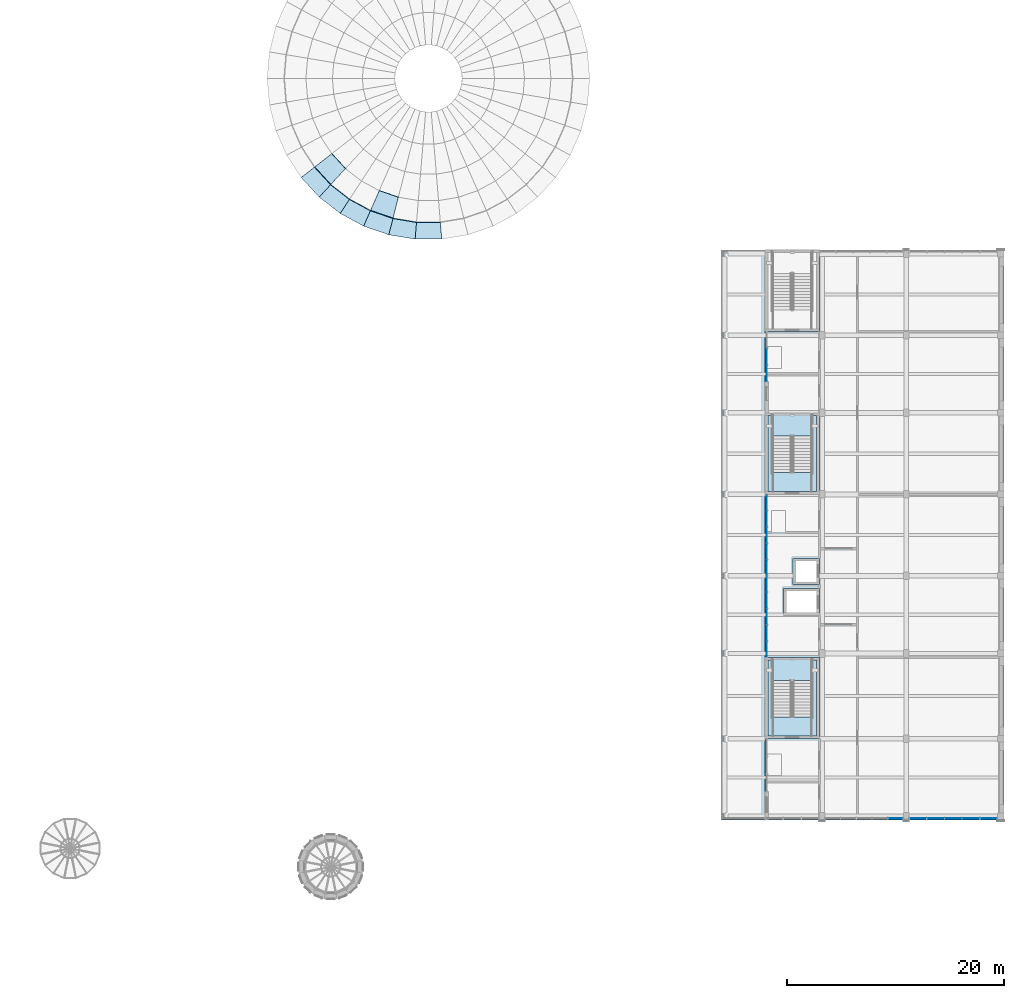
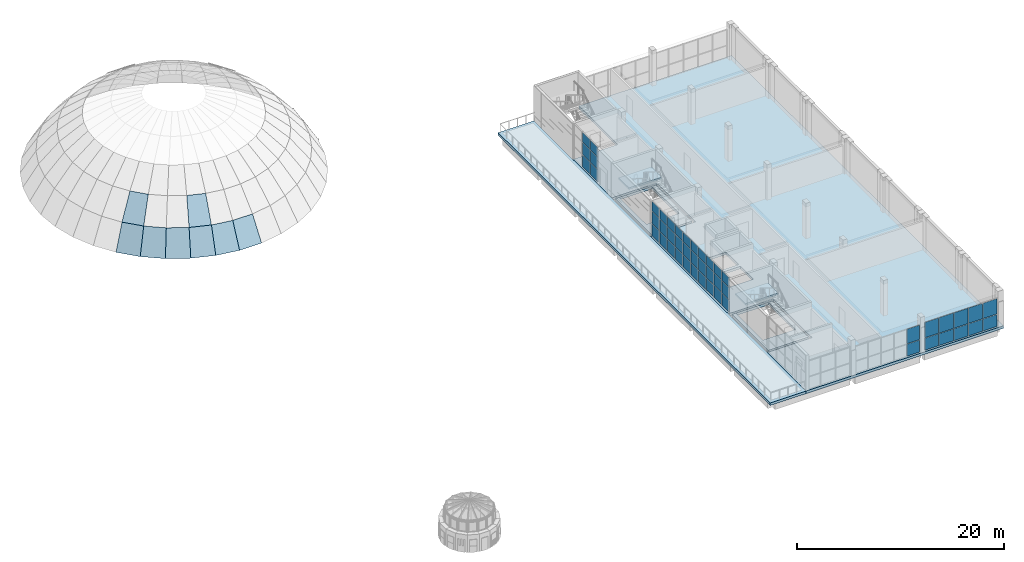
# One storey, part 21 of 36: 48 plates, 14 slabs, 7 elements without a shape of their own.
"""IFC4 building model written with IfcOpenShell, lengths in metres."""

from ifc_helpers import new_model, si_unit, direction, frame, origin, origin_2d, place, context, subcontext, project, spatial, polyline, rectangle, outline, extrude, material, layer, layer_set, type_object, element, aggregate, save


model = new_model("IFC4")

# Units and contexts
model_context = context("Model", 3, precision=1e-05, world=origin(), true_north=direction((0.0, 1.0)))
body_context = subcontext(model_context, "Body", "Model", "MODEL_VIEW")
ifc_project = project(units=[si_unit("LENGTHUNIT", "METRE"), si_unit("AREAUNIT", "SQUARE_METRE"), si_unit("VOLUMEUNIT", "CUBIC_METRE"), si_unit("PLANEANGLEUNIT", "RADIAN"), si_unit("MASSUNIT", "GRAM", prefix="KILO")], contexts=[model_context])

# Site, building, storey
site_placement = place(None, origin())
site = spatial("IfcSite", under=ifc_project, at=site_placement, CompositionType="ELEMENT")
building_placement = place(site_placement, origin())
building = spatial("IfcBuilding", under=site, at=building_placement, Name="Sun Court Science Centre", CompositionType="ELEMENT")
storey_placement = place(building_placement, frame((0.0, 0.0, 24.75)))
storey = spatial("IfcBuildingStorey", under=building, at=storey_placement, Name="L05", CompositionType="ELEMENT", Elevation=24.75)

# Roof, slabs
ifc_material_1 = material(Name="Zinc roofing", Category="metal")
roof_type = type_object("IfcRoofType", Name="Dome roof", PredefinedType="DOME_ROOF", material=ifc_material_1)
roof_placement = place(storey_placement, origin())
roof = element("IfcRoof", 1, at=roof_placement, inside=storey, type_object=roof_type, Name="Planetarium dome roof", PredefinedType="DOME_ROOF")
ifc_material_2 = material(Name="Zinc roofing", Category="metal")
ifc_layer_1 = layer(ifc_material_2, 0.06005859375)
ifc_layer_set_1 = layer_set([ifc_layer_1], Name="Zinc roofing")
slab_type_1 = type_object("IfcSlabType", Name="Dome roof panel 60", PredefinedType="ROOF", material=ifc_layer_set_1)
slab_1_placement = place(storey_placement, frame((42.0966796875, 89.8701171875, 0.330322265625), z_axis=(-0.558716350549, -0.514302052422, 0.650637716786), x_axis=(0.677269030657, -0.735735455056, 1.6947333e-05)))
slab_1 = element("IfcSlab", 2, at=slab_1_placement, type_object=slab_type_1, Name="Dome roof panel 4.23", PredefinedType="ROOF", context=body_context, shape_type="SweptSolid", body=[
    extrude(outline(polyline([(0.0, 0.0), (1.8632710448248617, -1.1102230246251565e-16), (2.030668140457228, -3.1066653687438617), (-0.16763116098052516, -3.10657472632978), (0.0, 0.0)])), origin(), (0.0, 0.0, -1.0), 0.06005859375),
])
slab_2_placement = place(storey_placement, frame((46.468017578125, 86.4677734375, 0.330322265625), z_axis=(-0.246585825862, -0.718257676775, 0.650616123562), x_axis=(0.945814477646, -0.324707520507, 1.190828e-06)))
slab_2 = element("IfcSlab", 3, at=slab_2_placement, type_object=slab_type_1, Name="Dome roof panel 4.26", PredefinedType="ROOF", context=body_context, shape_type="SweptSolid", body=[
    extrude(outline(polyline([(0.0, 0.0), (1.8631626307288045, -5.551115123125783e-17), (2.030726701956812, -3.106547551522466), (-0.16774661251424802, -3.106541182458842), (0.0, 0.0)])), origin(), (0.0, 0.0, -1.0), 0.06005859375),
])
slab_3_placement = place(storey_placement, frame((40.49609375, 88.62451171875, -2.02880859375), z_axis=(-0.630053574297, -0.580025064046, 0.51633653618), x_axis=(0.677278897129, -0.735726371909, -3.4369162e-05)))
slab_3 = element("IfcSlab", 4, at=slab_3_placement, type_object=slab_type_1, Name="Dome roof panel 5.23", PredefinedType="ROOF", context=body_context, shape_type="SweptSolid", body=[
    extrude(outline(polyline([(0.0, 0.0), (2.198299298972227, 0.0), (2.325905375164876, -2.977593731604761), (-0.12723171346105983, -2.9777804067897744), (0.0, 0.0)])), origin(), (0.0, 0.0, -1.0), 0.06005859375),
])
slab_4_placement = place(storey_placement, frame((41.98486328125, 87.007080078125, -2.02880859375), z_axis=(-0.526035197075, -0.675804425192, 0.516309355259), x_axis=(0.789123216363, -0.614234930088, 7.558985e-06)))
slab_4 = element("IfcSlab", 5, at=slab_4_placement, type_object=slab_type_1, Name="Dome roof panel 5.24", PredefinedType="ROOF", context=body_context, shape_type="SweptSolid", body=[
    extrude(outline(polyline([(0.0, 0.0), (2.1984479916480097, 1.1102230246251565e-16), (2.3258928136235077, -2.977650624988831), (-0.12723608555695604, -2.977609568106752), (0.0, 0.0)])), origin(), (0.0, 0.0, -1.0), 0.06005859375),
])
slab_5_placement = place(storey_placement, frame((43.7197265625, 85.65673828125, -2.02880859375), z_axis=(-0.407566496827, -0.753191157035, 0.5163260904), x_axis=(0.879494949199, -0.475908220463, 5.446576e-06)))
slab_5 = element("IfcSlab", 6, at=slab_5_placement, type_object=slab_type_1, Name="Dome roof panel 5.25", PredefinedType="ROOF", context=body_context, shape_type="SweptSolid", body=[
    extrude(outline(polyline([(0.0, 0.0), (2.1982390691866924, 0.0), (2.325647712074205, -2.97767996726631), (-0.12745042667658535, -2.9776503851834155), (0.0, 0.0)])), origin(), (0.0, 0.0, -1.0), 0.06005859375),
])
slab_6_placement = place(storey_placement, frame((45.653076171875, 84.610595703125, -2.02880859375), z_axis=(-0.278082750952, -0.809977251481, 0.516339845167), x_axis=(0.945811713453, -0.324715571976, 3.285932e-06)))
slab_6 = element("IfcSlab", 7, at=slab_6_placement, type_object=slab_type_1, Name="Dome roof panel 5.26", PredefinedType="ROOF", context=body_context, shape_type="SweptSolid", body=[
    extrude(outline(polyline([(0.0, 0.0), (2.198473314438412, 0.0), (2.325968261898518, -2.977702936027924), (-0.12728892462931993, -2.977685087404342), (0.0, 0.0)])), origin(), (0.0, 0.0, -1.0), 0.06005859375),
])
slab_7_placement = place(storey_placement, frame((47.732421875, 83.896728515625, -2.02880859375), z_axis=(-0.140954652438, -0.84469412732, 0.516356095372), x_axis=(0.98636197549, -0.164590562484, 7.025948e-06)))
slab_7 = element("IfcSlab", 8, at=slab_7_placement, type_object=slab_type_1, Name="Dome roof panel 5.27", PredefinedType="ROOF", context=body_context, shape_type="SweptSolid", body=[
    extrude(outline(polyline([(0.0, 0.0), (2.1984351269287896, 0.0), (2.3257879163074557, -2.9777471612776), (-0.12735327740016517, -2.977708998356544), (0.0, 0.0)])), origin(), (0.0, 0.0, -1.0), 0.06005859375),
])
slab_8_placement = place(storey_placement, frame((49.90087890625, 83.534912109375, -2.02880859375), z_axis=(0.0, -0.856369576273, 0.516363388355), x_axis=(1.0, 0.0, 0.0)))
slab_8 = element("IfcSlab", 9, at=slab_8_placement, type_object=slab_type_1, Name="Dome roof panel 5.28", PredefinedType="ROOF", context=body_context, shape_type="SweptSolid", body=[
    extrude(outline(polyline([(0.0, 0.0), (2.1982421875, 0.0), (2.32568359375, -2.9777433701256357), (-0.12744140625, -2.9777433701256357), (0.0, 0.0)])), origin(), (0.0, 0.0, -1.0), 0.06005859375),
])
aggregate(roof, [slab_1, slab_2, slab_3, slab_4, slab_5, slab_6, slab_7, slab_8])

# Slabs
ifc_material_3 = material(Name="Concrete C25/30", Category="concrete")
ifc_layer_2 = layer(ifc_material_3, 0.300048828125)
ifc_layer_set_2 = layer_set([ifc_layer_2], Name="Concrete C25/30")
slab_type_2 = type_object("IfcSlabType", Name="RC floor slab 300", PredefinedType="FLOOR", material=ifc_layer_set_2)
slab_9_placement = place(storey_placement, frame((0.0, 0.0, -0.300048828125)))
element("IfcSlab", 10, at=slab_9_placement, inside=storey, type_object=slab_type_2, Name="Floor slab L05", PredefinedType="FLOOR", context=body_context, shape_type="SweptSolid", body=[
    extrude(outline(polyline([(104.0, 28.5), (104.0, 81.0), (87.0, 81.0), (87.0, 73.5), (82.0, 73.5), (82.0, 66.0), (87.0, 66.0), (87.0, 58.5), (82.0, 58.5), (82.0, 43.5), (87.0, 43.5), (87.0, 36.0), (82.0, 36.0), (82.0, 28.5), (104.0, 28.5)]), holes=[polyline([(84.577392578125, 50.1875), (84.577392578125, 52.612548828125), (87.00244140625, 52.612548828125), (87.00244140625, 50.1875), (84.577392578125, 50.1875)]), polyline([(83.699951171875, 47.35009765625), (83.699951171875, 49.85009765625), (87.0, 49.85009765625), (87.0, 47.35009765625), (83.699951171875, 47.35009765625)])]), origin(), (0.0, 0.0, 1.0), 0.300048828125),
])
slab_10_placement = place(storey_placement, frame((0.0, 0.0, -0.300048828125)))
element("IfcSlab", 11, at=slab_10_placement, inside=storey, type_object=slab_type_2, Name="Stair SL2 landing slab L05", PredefinedType="FLOOR", context=body_context, shape_type="SweptSolid", body=[
    extrude(outline(polyline([(82.25, 43.25), (82.25, 36.25), (86.75, 36.25), (86.75, 43.25), (82.25, 43.25)]), holes=[polyline([(86.322998046875, 43.2451171875), (86.322998046875, 38.0029296875), (82.677001953125, 38.0029296875), (82.677001953125, 43.2451171875), (86.322998046875, 43.2451171875)])]), origin(), (0.0, 0.0, 1.0), 0.300048828125),
])
slab_11_placement = place(storey_placement, frame((0.0, 0.0, -0.300048828125)))
element("IfcSlab", 12, at=slab_11_placement, inside=storey, type_object=slab_type_2, Name="Stair SL3 landing slab L05", PredefinedType="FLOOR", context=body_context, shape_type="SweptSolid", body=[
    extrude(outline(polyline([(82.25, 65.75), (82.25, 58.75), (86.75, 58.75), (86.75, 65.75), (82.25, 65.75)]), holes=[polyline([(86.322998046875, 65.7451171875), (86.322998046875, 60.5029296875), (82.677001953125, 60.5029296875), (82.677001953125, 65.7451171875), (86.322998046875, 65.7451171875)])]), origin(), (0.0, 0.0, 1.0), 0.300048828125),
])
ifc_material_4 = material(Name="Concrete C25/30", Category="concrete")
ifc_layer_3 = layer(ifc_material_4, 0.300048828125)
ifc_layer_set_3 = layer_set([ifc_layer_3], Name="Concrete C25/30")
slab_type_3 = type_object("IfcSlabType", Name="RC terrace slab 300", PredefinedType="ROOF", material=ifc_layer_set_3)
slab_12_placement = place(storey_placement, frame((0.0, 0.0, -0.300048828125)))
element("IfcSlab", 13, at=slab_12_placement, inside=storey, type_object=slab_type_3, Name="Roof terrace slab L05", PredefinedType="ROOF", context=body_context, shape_type="SweptSolid", body=[
    extrude(outline(polyline([(82.0, 28.5), (82.0, 81.0), (78.0, 81.0), (78.0, 28.5), (82.0, 28.5)])), origin(), (0.0, 0.0, 1.0), 0.300048828125),
])

# Curtain wall, plates
ifc_material_5 = material(Name="Aluminium EN AW-6063 T6", Category="aluminium")
curtain_wall_type = type_object("IfcCurtainWallType", Name="Laboratory tall bay curtain wall 1500", PredefinedType="NOTDEFINED", material=ifc_material_5)
curtain_wall_1_placement = place(storey_placement, origin())
curtain_wall_1 = element("IfcCurtainWall", 14, at=curtain_wall_1_placement, inside=storey, type_object=curtain_wall_type, Name="Curtain wall V4 W5 L05 02", PredefinedType="NOTDEFINED")
ifc_material_6 = material(Name="Solar-control glass", Category="glass")
ifc_layer_4 = layer(ifc_material_6, 0.028076171875)
ifc_layer_set_4 = layer_set([ifc_layer_4], Name="Solar-control glass")
plate_type = type_object("IfcPlateType", Name="Solar-control glazing panel 8-12-8", PredefinedType="CURTAIN_PANEL", material=ifc_layer_set_4)
plate_1_placement = place(storey_placement, frame((82.14990234375, 44.264892578125, 0.06005859375), z_axis=(0.0, 0.0, 1.0), x_axis=(0.0, 1.0, 0.0)))
plate_1 = element("IfcPlate", 15, at=plate_1_placement, type_object=plate_type, Name="CW2-45 panel 1.1", PredefinedType="CURTAIN_PANEL", context=body_context, shape_type="SweptSolid", body=[
    extrude(rectangle(XDim=1.409912109375, YDim=0.028076171875, at=origin_2d()), origin(), (0.0, 0.0, 1.0), 1.409912109375),
])
plate_2_placement = place(storey_placement, frame((82.14990234375, 45.75, 0.06005859375), z_axis=(0.0, 0.0, 1.0), x_axis=(0.0, 1.0, 0.0)))
plate_2 = element("IfcPlate", 16, at=plate_2_placement, type_object=plate_type, Name="CW2-45 panel 2.1", PredefinedType="CURTAIN_PANEL", context=body_context, shape_type="SweptSolid", body=[
    extrude(rectangle(XDim=1.43994140625, YDim=0.028076171875, at=origin_2d()), origin(), (0.0, 0.0, 1.0), 1.409912109375),
])
plate_3_placement = place(storey_placement, frame((82.14990234375, 47.25, 0.06005859375), z_axis=(0.0, 0.0, 1.0), x_axis=(0.0, 1.0, 0.0)))
plate_3 = element("IfcPlate", 17, at=plate_3_placement, type_object=plate_type, Name="CW2-45 panel 3.1", PredefinedType="CURTAIN_PANEL", context=body_context, shape_type="SweptSolid", body=[
    extrude(rectangle(XDim=1.43994140625, YDim=0.028076171875, at=origin_2d()), origin(), (0.0, 0.0, 1.0), 1.409912109375),
])
plate_4_placement = place(storey_placement, frame((82.14990234375, 48.75, 0.06005859375), z_axis=(0.0, 0.0, 1.0), x_axis=(0.0, 1.0, 0.0)))
plate_4 = element("IfcPlate", 18, at=plate_4_placement, type_object=plate_type, Name="CW2-45 panel 4.1", PredefinedType="CURTAIN_PANEL", context=body_context, shape_type="SweptSolid", body=[
    extrude(rectangle(XDim=1.43994140625, YDim=0.028076171875, at=origin_2d()), origin(), (0.0, 0.0, 1.0), 1.409912109375),
])
plate_5_placement = place(storey_placement, frame((82.14990234375, 50.25, 0.06005859375), z_axis=(0.0, 0.0, 1.0), x_axis=(0.0, 1.0, 0.0)))
plate_5 = element("IfcPlate", 19, at=plate_5_placement, type_object=plate_type, Name="CW2-45 panel 5.1", PredefinedType="CURTAIN_PANEL", context=body_context, shape_type="SweptSolid", body=[
    extrude(rectangle(XDim=1.43994140625, YDim=0.028076171875, at=origin_2d()), origin(), (0.0, 0.0, 1.0), 1.409912109375),
])
plate_6_placement = place(storey_placement, frame((82.14990234375, 51.75, 0.06005859375), z_axis=(0.0, 0.0, 1.0), x_axis=(0.0, 1.0, 0.0)))
plate_6 = element("IfcPlate", 20, at=plate_6_placement, type_object=plate_type, Name="CW2-45 panel 6.1", PredefinedType="CURTAIN_PANEL", context=body_context, shape_type="SweptSolid", body=[
    extrude(rectangle(XDim=1.43994140625, YDim=0.028076171875, at=origin_2d()), origin(), (0.0, 0.0, 1.0), 1.409912109375),
])
plate_7_placement = place(storey_placement, frame((82.14990234375, 53.25, 0.06005859375), z_axis=(0.0, 0.0, 1.0), x_axis=(0.0, 1.0, 0.0)))
plate_7 = element("IfcPlate", 21, at=plate_7_placement, type_object=plate_type, Name="CW2-45 panel 7.1", PredefinedType="CURTAIN_PANEL", context=body_context, shape_type="SweptSolid", body=[
    extrude(rectangle(XDim=1.43994140625, YDim=0.028076171875, at=origin_2d()), origin(), (0.0, 0.0, 1.0), 1.409912109375),
])
plate_8_placement = place(storey_placement, frame((82.14990234375, 54.75, 0.06005859375), z_axis=(0.0, 0.0, 1.0), x_axis=(0.0, 1.0, 0.0)))
plate_8 = element("IfcPlate", 22, at=plate_8_placement, type_object=plate_type, Name="CW2-45 panel 8.1", PredefinedType="CURTAIN_PANEL", context=body_context, shape_type="SweptSolid", body=[
    extrude(rectangle(XDim=1.43994140625, YDim=0.028076171875, at=origin_2d()), origin(), (0.0, 0.0, 1.0), 1.409912109375),
])
plate_9_placement = place(storey_placement, frame((82.14990234375, 56.25, 0.06005859375), z_axis=(0.0, 0.0, 1.0), x_axis=(0.0, 1.0, 0.0)))
plate_9 = element("IfcPlate", 23, at=plate_9_placement, type_object=plate_type, Name="CW2-45 panel 9.1", PredefinedType="CURTAIN_PANEL", context=body_context, shape_type="SweptSolid", body=[
    extrude(rectangle(XDim=1.43994140625, YDim=0.028076171875, at=origin_2d()), origin(), (0.0, 0.0, 1.0), 1.409912109375),
])
plate_10_placement = place(storey_placement, frame((82.14990234375, 57.735107421875, 0.06005859375), z_axis=(0.0, 0.0, 1.0), x_axis=(0.0, 1.0, 0.0)))
plate_10 = element("IfcPlate", 24, at=plate_10_placement, type_object=plate_type, Name="CW2-45 panel 10.1", PredefinedType="CURTAIN_PANEL", context=body_context, shape_type="SweptSolid", body=[
    extrude(rectangle(XDim=1.409912109375, YDim=0.028076171875, at=origin_2d()), origin(), (0.0, 0.0, 1.0), 1.409912109375),
])
plate_11_placement = place(storey_placement, frame((82.14990234375, 44.264892578125, 1.530029296875), z_axis=(0.0, 0.0, 1.0), x_axis=(0.0, 1.0, 0.0)))
plate_11 = element("IfcPlate", 25, at=plate_11_placement, type_object=plate_type, Name="CW2-45 panel 1.2", PredefinedType="CURTAIN_PANEL", context=body_context, shape_type="SweptSolid", body=[
    extrude(rectangle(XDim=1.409912109375, YDim=0.028076171875, at=origin_2d()), origin(), (0.0, 0.0, 1.0), 1.43994140625),
])
plate_12_placement = place(storey_placement, frame((82.14990234375, 45.75, 1.530029296875), z_axis=(0.0, 0.0, 1.0), x_axis=(0.0, 1.0, 0.0)))
plate_12 = element("IfcPlate", 26, at=plate_12_placement, type_object=plate_type, Name="CW2-45 panel 2.2", PredefinedType="CURTAIN_PANEL", context=body_context, shape_type="SweptSolid", body=[
    extrude(rectangle(XDim=1.43994140625, YDim=0.028076171875, at=origin_2d()), origin(), (0.0, 0.0, 1.0), 1.43994140625),
])
plate_13_placement = place(storey_placement, frame((82.14990234375, 47.25, 1.530029296875), z_axis=(0.0, 0.0, 1.0), x_axis=(0.0, 1.0, 0.0)))
plate_13 = element("IfcPlate", 27, at=plate_13_placement, type_object=plate_type, Name="CW2-45 panel 3.2", PredefinedType="CURTAIN_PANEL", context=body_context, shape_type="SweptSolid", body=[
    extrude(rectangle(XDim=1.43994140625, YDim=0.028076171875, at=origin_2d()), origin(), (0.0, 0.0, 1.0), 1.43994140625),
])
plate_14_placement = place(storey_placement, frame((82.14990234375, 48.75, 1.530029296875), z_axis=(0.0, 0.0, 1.0), x_axis=(0.0, 1.0, 0.0)))
plate_14 = element("IfcPlate", 28, at=plate_14_placement, type_object=plate_type, Name="CW2-45 panel 4.2", PredefinedType="CURTAIN_PANEL", context=body_context, shape_type="SweptSolid", body=[
    extrude(rectangle(XDim=1.43994140625, YDim=0.028076171875, at=origin_2d()), origin(), (0.0, 0.0, 1.0), 1.43994140625),
])
plate_15_placement = place(storey_placement, frame((82.14990234375, 50.25, 1.530029296875), z_axis=(0.0, 0.0, 1.0), x_axis=(0.0, 1.0, 0.0)))
plate_15 = element("IfcPlate", 29, at=plate_15_placement, type_object=plate_type, Name="CW2-45 panel 5.2", PredefinedType="CURTAIN_PANEL", context=body_context, shape_type="SweptSolid", body=[
    extrude(rectangle(XDim=1.43994140625, YDim=0.028076171875, at=origin_2d()), origin(), (0.0, 0.0, 1.0), 1.43994140625),
])
plate_16_placement = place(storey_placement, frame((82.14990234375, 51.75, 1.530029296875), z_axis=(0.0, 0.0, 1.0), x_axis=(0.0, 1.0, 0.0)))
plate_16 = element("IfcPlate", 30, at=plate_16_placement, type_object=plate_type, Name="CW2-45 panel 6.2", PredefinedType="CURTAIN_PANEL", context=body_context, shape_type="SweptSolid", body=[
    extrude(rectangle(XDim=1.43994140625, YDim=0.028076171875, at=origin_2d()), origin(), (0.0, 0.0, 1.0), 1.43994140625),
])
plate_17_placement = place(storey_placement, frame((82.14990234375, 53.25, 1.530029296875), z_axis=(0.0, 0.0, 1.0), x_axis=(0.0, 1.0, 0.0)))
plate_17 = element("IfcPlate", 31, at=plate_17_placement, type_object=plate_type, Name="CW2-45 panel 7.2", PredefinedType="CURTAIN_PANEL", context=body_context, shape_type="SweptSolid", body=[
    extrude(rectangle(XDim=1.43994140625, YDim=0.028076171875, at=origin_2d()), origin(), (0.0, 0.0, 1.0), 1.43994140625),
])
plate_18_placement = place(storey_placement, frame((82.14990234375, 54.75, 1.530029296875), z_axis=(0.0, 0.0, 1.0), x_axis=(0.0, 1.0, 0.0)))
plate_18 = element("IfcPlate", 32, at=plate_18_placement, type_object=plate_type, Name="CW2-45 panel 8.2", PredefinedType="CURTAIN_PANEL", context=body_context, shape_type="SweptSolid", body=[
    extrude(rectangle(XDim=1.43994140625, YDim=0.028076171875, at=origin_2d()), origin(), (0.0, 0.0, 1.0), 1.43994140625),
])
plate_19_placement = place(storey_placement, frame((82.14990234375, 56.25, 1.530029296875), z_axis=(0.0, 0.0, 1.0), x_axis=(0.0, 1.0, 0.0)))
plate_19 = element("IfcPlate", 33, at=plate_19_placement, type_object=plate_type, Name="CW2-45 panel 9.2", PredefinedType="CURTAIN_PANEL", context=body_context, shape_type="SweptSolid", body=[
    extrude(rectangle(XDim=1.43994140625, YDim=0.028076171875, at=origin_2d()), origin(), (0.0, 0.0, 1.0), 1.43994140625),
])
plate_20_placement = place(storey_placement, frame((82.14990234375, 57.735107421875, 1.530029296875), z_axis=(0.0, 0.0, 1.0), x_axis=(0.0, 1.0, 0.0)))
plate_20 = element("IfcPlate", 34, at=plate_20_placement, type_object=plate_type, Name="CW2-45 panel 10.2", PredefinedType="CURTAIN_PANEL", context=body_context, shape_type="SweptSolid", body=[
    extrude(rectangle(XDim=1.409912109375, YDim=0.028076171875, at=origin_2d()), origin(), (0.0, 0.0, 1.0), 1.43994140625),
])
plate_21_placement = place(storey_placement, frame((82.14990234375, 44.264892578125, 3.02978515625), z_axis=(0.0, 0.0, 1.0), x_axis=(0.0, 1.0, 0.0)))
plate_21 = element("IfcPlate", 35, at=plate_21_placement, type_object=plate_type, Name="CW2-45 panel 1.3", PredefinedType="CURTAIN_PANEL", context=body_context, shape_type="SweptSolid", body=[
    extrude(rectangle(XDim=1.409912109375, YDim=0.028076171875, at=origin_2d()), origin(), (0.0, 0.0, 1.0), 1.110107421875),
])
plate_22_placement = place(storey_placement, frame((82.14990234375, 45.75, 3.02978515625), z_axis=(0.0, 0.0, 1.0), x_axis=(0.0, 1.0, 0.0)))
plate_22 = element("IfcPlate", 36, at=plate_22_placement, type_object=plate_type, Name="CW2-45 panel 2.3", PredefinedType="CURTAIN_PANEL", context=body_context, shape_type="SweptSolid", body=[
    extrude(rectangle(XDim=1.43994140625, YDim=0.028076171875, at=origin_2d()), origin(), (0.0, 0.0, 1.0), 1.110107421875),
])
plate_23_placement = place(storey_placement, frame((82.14990234375, 47.25, 3.02978515625), z_axis=(0.0, 0.0, 1.0), x_axis=(0.0, 1.0, 0.0)))
plate_23 = element("IfcPlate", 37, at=plate_23_placement, type_object=plate_type, Name="CW2-45 panel 3.3", PredefinedType="CURTAIN_PANEL", context=body_context, shape_type="SweptSolid", body=[
    extrude(rectangle(XDim=1.43994140625, YDim=0.028076171875, at=origin_2d()), origin(), (0.0, 0.0, 1.0), 1.110107421875),
])
plate_24_placement = place(storey_placement, frame((82.14990234375, 48.75, 3.02978515625), z_axis=(0.0, 0.0, 1.0), x_axis=(0.0, 1.0, 0.0)))
plate_24 = element("IfcPlate", 38, at=plate_24_placement, type_object=plate_type, Name="CW2-45 panel 4.3", PredefinedType="CURTAIN_PANEL", context=body_context, shape_type="SweptSolid", body=[
    extrude(rectangle(XDim=1.43994140625, YDim=0.028076171875, at=origin_2d()), origin(), (0.0, 0.0, 1.0), 1.110107421875),
])
plate_25_placement = place(storey_placement, frame((82.14990234375, 50.25, 3.02978515625), z_axis=(0.0, 0.0, 1.0), x_axis=(0.0, 1.0, 0.0)))
plate_25 = element("IfcPlate", 39, at=plate_25_placement, type_object=plate_type, Name="CW2-45 panel 5.3", PredefinedType="CURTAIN_PANEL", context=body_context, shape_type="SweptSolid", body=[
    extrude(rectangle(XDim=1.43994140625, YDim=0.028076171875, at=origin_2d()), origin(), (0.0, 0.0, 1.0), 1.110107421875),
])
plate_26_placement = place(storey_placement, frame((82.14990234375, 51.75, 3.02978515625), z_axis=(0.0, 0.0, 1.0), x_axis=(0.0, 1.0, 0.0)))
plate_26 = element("IfcPlate", 40, at=plate_26_placement, type_object=plate_type, Name="CW2-45 panel 6.3", PredefinedType="CURTAIN_PANEL", context=body_context, shape_type="SweptSolid", body=[
    extrude(rectangle(XDim=1.43994140625, YDim=0.028076171875, at=origin_2d()), origin(), (0.0, 0.0, 1.0), 1.110107421875),
])
plate_27_placement = place(storey_placement, frame((82.14990234375, 53.25, 3.02978515625), z_axis=(0.0, 0.0, 1.0), x_axis=(0.0, 1.0, 0.0)))
plate_27 = element("IfcPlate", 41, at=plate_27_placement, type_object=plate_type, Name="CW2-45 panel 7.3", PredefinedType="CURTAIN_PANEL", context=body_context, shape_type="SweptSolid", body=[
    extrude(rectangle(XDim=1.43994140625, YDim=0.028076171875, at=origin_2d()), origin(), (0.0, 0.0, 1.0), 1.110107421875),
])
plate_28_placement = place(storey_placement, frame((82.14990234375, 54.75, 3.02978515625), z_axis=(0.0, 0.0, 1.0), x_axis=(0.0, 1.0, 0.0)))
plate_28 = element("IfcPlate", 42, at=plate_28_placement, type_object=plate_type, Name="CW2-45 panel 8.3", PredefinedType="CURTAIN_PANEL", context=body_context, shape_type="SweptSolid", body=[
    extrude(rectangle(XDim=1.43994140625, YDim=0.028076171875, at=origin_2d()), origin(), (0.0, 0.0, 1.0), 1.110107421875),
])
plate_29_placement = place(storey_placement, frame((82.14990234375, 56.25, 3.02978515625), z_axis=(0.0, 0.0, 1.0), x_axis=(0.0, 1.0, 0.0)))
plate_29 = element("IfcPlate", 43, at=plate_29_placement, type_object=plate_type, Name="CW2-45 panel 9.3", PredefinedType="CURTAIN_PANEL", context=body_context, shape_type="SweptSolid", body=[
    extrude(rectangle(XDim=1.43994140625, YDim=0.028076171875, at=origin_2d()), origin(), (0.0, 0.0, 1.0), 1.110107421875),
])
plate_30_placement = place(storey_placement, frame((82.14990234375, 57.735107421875, 3.02978515625), z_axis=(0.0, 0.0, 1.0), x_axis=(0.0, 1.0, 0.0)))
plate_30 = element("IfcPlate", 44, at=plate_30_placement, type_object=plate_type, Name="CW2-45 panel 10.3", PredefinedType="CURTAIN_PANEL", context=body_context, shape_type="SweptSolid", body=[
    extrude(rectangle(XDim=1.409912109375, YDim=0.028076171875, at=origin_2d()), origin(), (0.0, 0.0, 1.0), 1.110107421875),
])
aggregate(curtain_wall_1, [plate_1, plate_2, plate_3, plate_4, plate_5, plate_6, plate_7, plate_8, plate_9, plate_10, plate_11, plate_12, plate_13, plate_14, plate_15, plate_16, plate_17, plate_18, plate_19, plate_20, plate_21, plate_22, plate_23, plate_24, plate_25, plate_26, plate_27, plate_28, plate_29, plate_30])

curtain_wall_2_placement = place(storey_placement, origin())
curtain_wall_2 = element("IfcCurtainWall", 45, at=curtain_wall_2_placement, inside=storey, type_object=curtain_wall_type, Name="Curtain wall V4 W5 L05 03", PredefinedType="NOTDEFINED")
plate_31_placement = place(storey_placement, frame((82.14990234375, 69.639892578125, 0.06005859375), z_axis=(0.0, 0.0, 1.0), x_axis=(0.0, 1.0, 0.0)))
plate_31 = element("IfcPlate", 46, at=plate_31_placement, type_object=plate_type, Name="CW2-46 panel 1.1", PredefinedType="CURTAIN_PANEL", context=body_context, shape_type="SweptSolid", body=[
    extrude(rectangle(XDim=1.4599609375, YDim=0.028076171875, at=origin_2d()), origin(), (0.0, 0.0, 1.0), 1.409912109375),
])
plate_32_placement = place(storey_placement, frame((82.14990234375, 71.175048828125, 0.06005859375), z_axis=(0.0, 0.0, 1.0), x_axis=(0.0, 1.0, 0.0)))
plate_32 = element("IfcPlate", 47, at=plate_32_placement, type_object=plate_type, Name="CW2-46 panel 2.1", PredefinedType="CURTAIN_PANEL", context=body_context, shape_type="SweptSolid", body=[
    extrude(rectangle(XDim=1.489990234375, YDim=0.028076171875, at=origin_2d()), origin(), (0.0, 0.0, 1.0), 1.409912109375),
])
plate_33_placement = place(storey_placement, frame((82.14990234375, 69.639892578125, 1.530029296875), z_axis=(0.0, 0.0, 1.0), x_axis=(0.0, 1.0, 0.0)))
plate_33 = element("IfcPlate", 48, at=plate_33_placement, type_object=plate_type, Name="CW2-46 panel 1.2", PredefinedType="CURTAIN_PANEL", context=body_context, shape_type="SweptSolid", body=[
    extrude(rectangle(XDim=1.4599609375, YDim=0.028076171875, at=origin_2d()), origin(), (0.0, 0.0, 1.0), 1.43994140625),
])
plate_34_placement = place(storey_placement, frame((82.14990234375, 71.175048828125, 1.530029296875), z_axis=(0.0, 0.0, 1.0), x_axis=(0.0, 1.0, 0.0)))
plate_34 = element("IfcPlate", 49, at=plate_34_placement, type_object=plate_type, Name="CW2-46 panel 2.2", PredefinedType="CURTAIN_PANEL", context=body_context, shape_type="SweptSolid", body=[
    extrude(rectangle(XDim=1.489990234375, YDim=0.028076171875, at=origin_2d()), origin(), (0.0, 0.0, 1.0), 1.43994140625),
])
plate_35_placement = place(storey_placement, frame((82.14990234375, 69.639892578125, 3.02978515625), z_axis=(0.0, 0.0, 1.0), x_axis=(0.0, 1.0, 0.0)))
plate_35 = element("IfcPlate", 50, at=plate_35_placement, type_object=plate_type, Name="CW2-46 panel 1.3", PredefinedType="CURTAIN_PANEL", context=body_context, shape_type="SweptSolid", body=[
    extrude(rectangle(XDim=1.4599609375, YDim=0.028076171875, at=origin_2d()), origin(), (0.0, 0.0, 1.0), 1.110107421875),
])
plate_36_placement = place(storey_placement, frame((82.14990234375, 71.175048828125, 3.02978515625), z_axis=(0.0, 0.0, 1.0), x_axis=(0.0, 1.0, 0.0)))
plate_36 = element("IfcPlate", 51, at=plate_36_placement, type_object=plate_type, Name="CW2-46 panel 2.3", PredefinedType="CURTAIN_PANEL", context=body_context, shape_type="SweptSolid", body=[
    extrude(rectangle(XDim=1.489990234375, YDim=0.028076171875, at=origin_2d()), origin(), (0.0, 0.0, 1.0), 1.110107421875),
])
aggregate(curtain_wall_2, [plate_31, plate_32, plate_33, plate_34, plate_35, plate_36])

curtain_wall_3_placement = place(storey_placement, origin())
curtain_wall_3 = element("IfcCurtainWall", 52, at=curtain_wall_3_placement, inside=storey, type_object=curtain_wall_type, Name="Curtain wall V4 S4 L05 01", PredefinedType="NOTDEFINED")
plate_37_placement = place(storey_placement, frame((96.080078125, 28.64990234375, 0.06005859375), z_axis=(0.0, 0.0, 1.0), x_axis=(-1.0, 0.0, 0.0)))
plate_37 = element("IfcPlate", 53, at=plate_37_placement, type_object=plate_type, Name="CW2-58 panel 5.1", PredefinedType="CURTAIN_PANEL", context=body_context, shape_type="SweptSolid", body=[
    extrude(rectangle(XDim=1.5400390625, YDim=0.028076171875, at=origin_2d()), origin(), (0.0, 0.0, 1.0), 1.409912109375),
])
plate_38_placement = place(storey_placement, frame((97.695068359375, 28.64990234375, 0.06005859375), z_axis=(0.0, 0.0, 1.0), x_axis=(-1.0, 0.0, 0.0)))
plate_38 = element("IfcPlate", 54, at=plate_38_placement, type_object=plate_type, Name="CW2-58 panel 4.1", PredefinedType="CURTAIN_PANEL", context=body_context, shape_type="SweptSolid", body=[
    extrude(rectangle(XDim=1.570068359375, YDim=0.028076171875, at=origin_2d()), origin(), (0.0, 0.0, 1.0), 1.409912109375),
])
plate_39_placement = place(storey_placement, frame((99.324951171875, 28.64990234375, 0.06005859375), z_axis=(0.0, 0.0, 1.0), x_axis=(-1.0, 0.0, 0.0)))
plate_39 = element("IfcPlate", 55, at=plate_39_placement, type_object=plate_type, Name="CW2-58 panel 3.1", PredefinedType="CURTAIN_PANEL", context=body_context, shape_type="SweptSolid", body=[
    extrude(rectangle(XDim=1.570068359375, YDim=0.028076171875, at=origin_2d()), origin(), (0.0, 0.0, 1.0), 1.409912109375),
])
plate_40_placement = place(storey_placement, frame((100.955078125, 28.64990234375, 0.06005859375), z_axis=(0.0, 0.0, 1.0), x_axis=(-1.0, 0.0, 0.0)))
plate_40 = element("IfcPlate", 56, at=plate_40_placement, type_object=plate_type, Name="CW2-58 panel 2.1", PredefinedType="CURTAIN_PANEL", context=body_context, shape_type="SweptSolid", body=[
    extrude(rectangle(XDim=1.570068359375, YDim=0.028076171875, at=origin_2d()), origin(), (0.0, 0.0, 1.0), 1.409912109375),
])
plate_41_placement = place(storey_placement, frame((102.570068359375, 28.64990234375, 0.06005859375), z_axis=(0.0, 0.0, 1.0), x_axis=(-1.0, 0.0, 0.0)))
plate_41 = element("IfcPlate", 57, at=plate_41_placement, type_object=plate_type, Name="CW2-58 panel 1.1", PredefinedType="CURTAIN_PANEL", context=body_context, shape_type="SweptSolid", body=[
    extrude(rectangle(XDim=1.5400390625, YDim=0.028076171875, at=origin_2d()), origin(), (0.0, 0.0, 1.0), 1.409912109375),
])
plate_42_placement = place(storey_placement, frame((96.080078125, 28.64990234375, 1.530029296875), z_axis=(0.0, 0.0, 1.0), x_axis=(-1.0, 0.0, 0.0)))
plate_42 = element("IfcPlate", 58, at=plate_42_placement, type_object=plate_type, Name="CW2-58 panel 5.2", PredefinedType="CURTAIN_PANEL", context=body_context, shape_type="SweptSolid", body=[
    extrude(rectangle(XDim=1.5400390625, YDim=0.028076171875, at=origin_2d()), origin(), (0.0, 0.0, 1.0), 1.81005859375),
])
plate_43_placement = place(storey_placement, frame((97.695068359375, 28.64990234375, 1.530029296875), z_axis=(0.0, 0.0, 1.0), x_axis=(-1.0, 0.0, 0.0)))
plate_43 = element("IfcPlate", 59, at=plate_43_placement, type_object=plate_type, Name="CW2-58 panel 4.2", PredefinedType="CURTAIN_PANEL", context=body_context, shape_type="SweptSolid", body=[
    extrude(rectangle(XDim=1.570068359375, YDim=0.028076171875, at=origin_2d()), origin(), (0.0, 0.0, 1.0), 1.81005859375),
])
plate_44_placement = place(storey_placement, frame((99.324951171875, 28.64990234375, 1.530029296875), z_axis=(0.0, 0.0, 1.0), x_axis=(-1.0, 0.0, 0.0)))
plate_44 = element("IfcPlate", 60, at=plate_44_placement, type_object=plate_type, Name="CW2-58 panel 3.2", PredefinedType="CURTAIN_PANEL", context=body_context, shape_type="SweptSolid", body=[
    extrude(rectangle(XDim=1.570068359375, YDim=0.028076171875, at=origin_2d()), origin(), (0.0, 0.0, 1.0), 1.81005859375),
])
plate_45_placement = place(storey_placement, frame((100.955078125, 28.64990234375, 1.530029296875), z_axis=(0.0, 0.0, 1.0), x_axis=(-1.0, 0.0, 0.0)))
plate_45 = element("IfcPlate", 61, at=plate_45_placement, type_object=plate_type, Name="CW2-58 panel 2.2", PredefinedType="CURTAIN_PANEL", context=body_context, shape_type="SweptSolid", body=[
    extrude(rectangle(XDim=1.570068359375, YDim=0.028076171875, at=origin_2d()), origin(), (0.0, 0.0, 1.0), 1.81005859375),
])
plate_46_placement = place(storey_placement, frame((102.570068359375, 28.64990234375, 1.530029296875), z_axis=(0.0, 0.0, 1.0), x_axis=(-1.0, 0.0, 0.0)))
plate_46 = element("IfcPlate", 62, at=plate_46_placement, type_object=plate_type, Name="CW2-58 panel 1.2", PredefinedType="CURTAIN_PANEL", context=body_context, shape_type="SweptSolid", body=[
    extrude(rectangle(XDim=1.5400390625, YDim=0.028076171875, at=origin_2d()), origin(), (0.0, 0.0, 1.0), 1.81005859375),
])
aggregate(curtain_wall_3, [plate_37, plate_38, plate_39, plate_40, plate_41, plate_42, plate_43, plate_44, plate_45, plate_46])

curtain_wall_4_placement = place(storey_placement, origin())
curtain_wall_4 = element("IfcCurtainWall", 63, at=curtain_wall_4_placement, inside=storey, type_object=curtain_wall_type, Name="Curtain wall V4 S4 L05 02", PredefinedType="NOTDEFINED")
plate_47_placement = place(storey_placement, frame((94.010009765625, 28.64990234375, 0.06005859375), z_axis=(0.0, 0.0, 1.0), x_axis=(-1.0, 0.0, 0.0)))
plate_47 = element("IfcPlate", 64, at=plate_47_placement, type_object=plate_type, Name="CW2-59 panel 1.1", PredefinedType="CURTAIN_PANEL", context=body_context, shape_type="SweptSolid", body=[
    extrude(rectangle(XDim=1.360107421875, YDim=0.028076171875, at=origin_2d()), origin(), (0.0, 0.0, 1.0), 1.409912109375),
])
plate_48_placement = place(storey_placement, frame((94.010009765625, 28.64990234375, 1.530029296875), z_axis=(0.0, 0.0, 1.0), x_axis=(-1.0, 0.0, 0.0)))
plate_48 = element("IfcPlate", 65, at=plate_48_placement, type_object=plate_type, Name="CW2-59 panel 1.2", PredefinedType="CURTAIN_PANEL", context=body_context, shape_type="SweptSolid", body=[
    extrude(rectangle(XDim=1.360107421875, YDim=0.028076171875, at=origin_2d()), origin(), (0.0, 0.0, 1.0), 1.7099609375),
])
aggregate(curtain_wall_4, [plate_47, plate_48])

# Stair, slab
ifc_material_7 = material(Name="Concrete C25/30", Category="concrete")
stair_type = type_object("IfcStairType", Name="Stair 1500 enclosed half-turn", PredefinedType="HALF_TURN_STAIR", material=ifc_material_7)
stair_1_placement = place(storey_placement, origin())
stair_1 = element("IfcStair", 66, at=stair_1_placement, inside=storey, type_object=stair_type, Name="L05 Stair SL2", PredefinedType="HALF_TURN_STAIR")
ifc_material_8 = material(Name="Concrete C25/30", Category="concrete")
ifc_layer_5 = layer(ifc_material_8, 0.199951171875)
ifc_layer_set_5 = layer_set([ifc_layer_5], Name="Concrete C25/30")
slab_type_4 = type_object("IfcSlabType", Name="Stair landing 200", PredefinedType="LANDING", material=ifc_layer_set_5)
slab_13_placement = place(storey_placement, frame((0.0, 0.0, 2.050048828125)))
slab_13 = element("IfcSlab", 67, at=slab_13_placement, type_object=slab_type_4, Name="SL2 landing 1", PredefinedType="LANDING", context=body_context, shape_type="SweptSolid", body=[
    extrude(outline(polyline([(86.322998046875, 41.35400390625), (86.322998046875, 43.35009765625), (82.677001953125, 43.35009765625), (82.677001953125, 41.35400390625), (86.322998046875, 41.35400390625)])), origin(), (0.0, 0.0, 1.0), 0.199951171875),
])
aggregate(stair_1, [slab_13])

stair_2_placement = place(storey_placement, origin())
stair_2 = element("IfcStair", 68, at=stair_2_placement, inside=storey, type_object=stair_type, Name="L05 Stair SL3", PredefinedType="HALF_TURN_STAIR")
slab_14_placement = place(storey_placement, frame((0.0, 0.0, 2.050048828125)))
slab_14 = element("IfcSlab", 69, at=slab_14_placement, type_object=slab_type_4, Name="SL3 landing 1", PredefinedType="LANDING", context=body_context, shape_type="SweptSolid", body=[
    extrude(outline(polyline([(86.322998046875, 63.85400390625), (86.322998046875, 65.85009765625), (82.677001953125, 65.85009765625), (82.677001953125, 63.85400390625), (86.322998046875, 63.85400390625)])), origin(), (0.0, 0.0, 1.0), 0.199951171875),
])
aggregate(stair_2, [slab_14])

save(model, "model.ifc")
